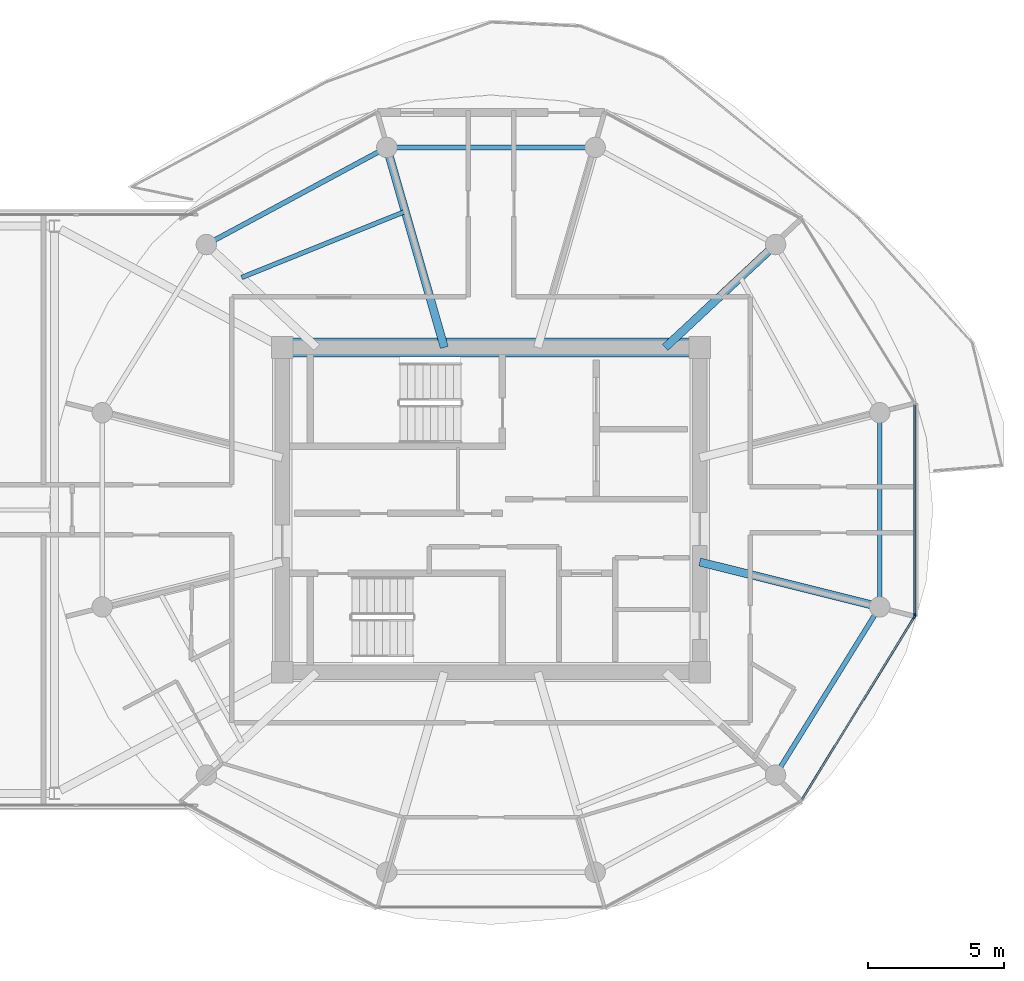
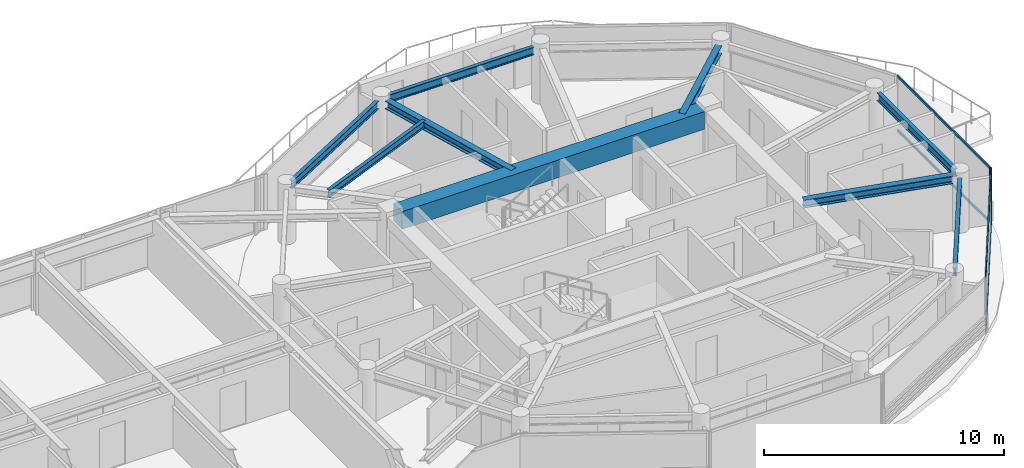
# One storey, part 10 of 23: 9 beams, 6 members, 2 elements without a shape of their own.
"""IFC4 building model written with IfcOpenShell, lengths in metres."""

from ifc_helpers import new_model, si_unit, direction, frame, origin, origin_2d, place, context, subcontext, project, spatial, rectangle, i_section, extrude, source, transform, mapped, material, layer, layer_set, material_profile, profile_set, type_object, type_shapes, element, aggregate, save


model = new_model("IFC4")

# Units and contexts
model_context = context("Model", 3, precision=1e-05, world=origin(), true_north=direction((0.0, 1.0)))
body_context = subcontext(model_context, "Body", "Model", "MODEL_VIEW")
ifc_project = project(units=[si_unit("LENGTHUNIT", "METRE"), si_unit("AREAUNIT", "SQUARE_METRE"), si_unit("VOLUMEUNIT", "CUBIC_METRE"), si_unit("PLANEANGLEUNIT", "RADIAN"), si_unit("MASSUNIT", "GRAM", prefix="KILO")], contexts=[model_context])

# Site, building, storey
site_placement = place(None, origin())
site = spatial("IfcSite", under=ifc_project, at=site_placement, CompositionType="ELEMENT")
building_placement = place(site_placement, origin())
building = spatial("IfcBuilding", under=site, at=building_placement, Name="Norrkilde Senior Care Towers", CompositionType="ELEMENT")
storey_placement = place(building_placement, frame((0.0, 0.0, 229.14990234375)))
storey = spatial("IfcBuildingStorey", under=building, at=storey_placement, Name="L71", CompositionType="ELEMENT", Elevation=229.14990234375)

# Beams
ifc_material_1 = material(Name="Concrete C60/75", Category="concrete")
ifc_material_profile_1 = material_profile(ifc_material_1, rectangle(XDim=0.699951171875, YDim=0.89990234375, at=origin_2d()), Name="RC BM 700x900")
ifc_profile_set_1 = profile_set([ifc_material_profile_1], Name="Concrete C60/75")
beam_type_1 = type_object("IfcBeamType", Name="Core Coupling Girder 700x900", PredefinedType="USERDEFINED", material=ifc_profile_set_1)
shared_shape_1 = source(origin(), body_context, "Body", "SweptSolid", [
    extrude(rectangle(XDim=0.699951171875, YDim=0.89990234375, at=origin_2d()), origin(), (0.0, 0.0, 1.0), 14.5400390625),
])
type_shapes(beam_type_1, [shared_shape_1])
beam_1_placement = place(storey_placement, frame((20.72998046875, 5.949951171875, 2.360107421875), z_axis=(1.0, 0.0, 0.0), x_axis=(0.0, 1.0, 0.0)))
element("IfcBeam", 1, at=beam_1_placement, inside=storey, type_object=beam_type_1, Name="L71 Core E N Coupling Girder", ObjectType="GIRDER", PredefinedType="USERDEFINED", context=body_context, shape_type="MappedRepresentation", body=[
    mapped(shared_shape_1, transform((0.0, 0.0, 0.0), x_axis=(1.0, 0.0, 0.0), y_axis=(0.0, 1.0, 0.0), z_axis=(0.0, 0.0, 1.0), scale=1.0)),
])
ifc_material_2 = material(Name="Steel S355", Category="steel")
ifc_material_profile_2 = material_profile(ifc_material_2, i_section(OverallWidth=0.179931640625, OverallDepth=0.39990234375, WebThickness=0.008544921875, FlangeThickness=0.013427734375, FilletRadius=0.02099609375, at=origin_2d()), Name="IPE 400")
ifc_profile_set_2 = profile_set([ifc_material_profile_2], Name="Steel S355")
beam_type_2 = type_object("IfcBeamType", Name="Perimeter Ring Spandrel Z4 IPE400", PredefinedType="SPANDREL", material=ifc_profile_set_2)
shared_shape_2 = source(origin(), body_context, "Body", "SweptSolid", [
    extrude(i_section(OverallWidth=0.179931640625, OverallDepth=0.39990234375, WebThickness=0.008544921875, FlangeThickness=0.013427734375, FilletRadius=0.02099609375, at=origin_2d()), origin(), (0.0, 0.0, 1.0), 6.58056640625),
])
beam_2_placement = place(storey_placement, frame((38.606201171875, -9.43798828125, 2.610107421875), z_axis=(0.526529583789, 0.850156807533, 0.0), x_axis=(-0.850156807533, 0.526529583789, 0.0)))
element("IfcBeam", 2, at=beam_2_placement, inside=storey, type_object=beam_type_2, Name="L71 Drum E Perimeter Spandrel 11", PredefinedType="SPANDREL", context=body_context, shape_type="MappedRepresentation", body=[
    mapped(shared_shape_2, transform((0.0, 0.0, 0.0), x_axis=(1.0, 0.0, 0.0), y_axis=(0.0, 1.0, 0.0), z_axis=(0.0, 0.0, 1.0), scale=1.0)),
])
ifc_material_profile_3 = material_profile(ifc_material_2, i_section(OverallWidth=0.300048828125, OverallDepth=0.39990234375, WebThickness=0.013427734375, FlangeThickness=0.02392578125, FilletRadius=0.027099609375, at=origin_2d()), Name="HEB 400")
ifc_profile_set_3 = profile_set([ifc_material_profile_3], Name="Steel S355")
beam_type_3 = type_object("IfcBeamType", Name="Radial Floor Beam Z4 HEB400", PredefinedType="BEAM", material=ifc_profile_set_3)
shared_shape_3 = source(origin(), body_context, "Body", "SweptSolid", [
    extrude(i_section(OverallWidth=0.300048828125, OverallDepth=0.39990234375, WebThickness=0.013427734375, FlangeThickness=0.02392578125, FilletRadius=0.027099609375, at=origin_2d()), origin(), (0.0, 0.0, 1.0), 6.465087890625),
])
beam_3_placement = place(storey_placement, frame((35.64990234375, -1.910888671875, 2.610107421875), z_axis=(0.970195788563, -0.242322371758, 0.0), x_axis=(0.242322371758, 0.970195788563, 0.0)))
element("IfcBeam", 3, at=beam_3_placement, inside=storey, type_object=beam_type_3, Name="L71 Drum E Radial Floor Beam 12", PredefinedType="BEAM", context=body_context, shape_type="MappedRepresentation", body=[
    mapped(shared_shape_3, transform((0.0, 0.0, 0.0), x_axis=(1.0, 0.0, 0.0), y_axis=(0.0, 1.0, 0.0), z_axis=(0.0, 0.0, 1.0), scale=1.0)),
])
shared_shape_4 = source(origin(), body_context, "Body", "SweptSolid", [
    extrude(i_section(OverallWidth=0.179931640625, OverallDepth=0.39990234375, WebThickness=0.008544921875, FlangeThickness=0.013427734375, FilletRadius=0.02099609375, at=origin_2d()), origin(), (0.0, 0.0, 1.0), 6.839111328125),
])
beam_4_placement = place(storey_placement, frame((23.887451171875, 13.122802734375, 2.610107421875), z_axis=(-0.880563930732, -0.473927382511, 0.0), x_axis=(0.473927382511, -0.880563930732, 0.0)))
element("IfcBeam", 4, at=beam_4_placement, inside=storey, type_object=beam_type_2, Name="L71 Drum E Perimeter Spandrel 04", PredefinedType="SPANDREL", context=body_context, shape_type="MappedRepresentation", body=[
    mapped(shared_shape_4, transform((0.0, 0.0, 0.0), x_axis=(1.0, 0.0, 0.0), y_axis=(0.0, 1.0, 0.0), z_axis=(0.0, 0.0, 1.0), scale=1.0)),
])
shared_shape_5 = source(origin(), body_context, "Body", "SweptSolid", [
    extrude(i_section(OverallWidth=0.300048828125, OverallDepth=0.39990234375, WebThickness=0.013427734375, FlangeThickness=0.02392578125, FilletRadius=0.027099609375, at=origin_2d()), origin(), (0.0, 0.0, 1.0), 5.197998046875),
])
beam_5_placement = place(storey_placement, frame((34.3828125, 5.949951171875, 2.610107421875), z_axis=(0.731448749334, 0.681896419625, 0.0), x_axis=(-0.681896419625, 0.731448749334, 0.0)))
element("IfcBeam", 5, at=beam_5_placement, inside=storey, type_object=beam_type_3, Name="L71 Drum E Radial Floor Beam 02", PredefinedType="BEAM", context=body_context, shape_type="MappedRepresentation", body=[
    mapped(shared_shape_5, transform((0.0, 0.0, 0.0), x_axis=(1.0, 0.0, 0.0), y_axis=(0.0, 1.0, 0.0), z_axis=(0.0, 0.0, 1.0), scale=1.0)),
])
shared_shape_6 = source(origin(), body_context, "Body", "SweptSolid", [
    extrude(i_section(OverallWidth=0.179931640625, OverallDepth=0.39990234375, WebThickness=0.008544921875, FlangeThickness=0.013427734375, FilletRadius=0.02099609375, at=origin_2d()), origin(), (0.0, 0.0, 1.0), 6.96533203125),
])
beam_6_placement = place(storey_placement, frame((31.482666015625, 13.281494140625, 2.610107421875), z_axis=(-1.0, 0.0, 0.0), x_axis=(0.0, -1.0, 0.0)))
element("IfcBeam", 6, at=beam_6_placement, inside=storey, type_object=beam_type_2, Name="L71 Drum E Perimeter Spandrel 03", PredefinedType="SPANDREL", context=body_context, shape_type="MappedRepresentation", body=[
    mapped(shared_shape_6, transform((0.0, 0.0, 0.0), x_axis=(1.0, 0.0, 0.0), y_axis=(0.0, 1.0, 0.0), z_axis=(0.0, 0.0, 1.0), scale=1.0)),
])
shared_shape_7 = source(origin(), body_context, "Body", "SweptSolid", [
    extrude(i_section(OverallWidth=0.300048828125, OverallDepth=0.39990234375, WebThickness=0.013427734375, FlangeThickness=0.02392578125, FilletRadius=0.027099609375, at=origin_2d()), origin(), (0.0, 0.0, 1.0), 7.29345703125),
])
type_shapes(beam_type_3, [shared_shape_3, shared_shape_5, shared_shape_7])
beam_7_placement = place(storey_placement, frame((26.289794921875, 5.949951171875, 2.610107421875), z_axis=(-0.276263751906, 0.961081858836, 0.0), x_axis=(-0.961081858836, -0.276263751906, 0.0)))
element("IfcBeam", 7, at=beam_7_placement, inside=storey, type_object=beam_type_3, Name="L71 Drum E Radial Floor Beam 04", PredefinedType="BEAM", context=body_context, shape_type="MappedRepresentation", body=[
    mapped(shared_shape_7, transform((0.0, 0.0, 0.0), x_axis=(1.0, 0.0, 0.0), y_axis=(0.0, 1.0, 0.0), z_axis=(0.0, 0.0, 1.0), scale=1.0)),
])
shared_shape_8 = source(origin(), body_context, "Body", "SweptSolid", [
    extrude(i_section(OverallWidth=0.179931640625, OverallDepth=0.39990234375, WebThickness=0.008544921875, FlangeThickness=0.013427734375, FilletRadius=0.02099609375, at=origin_2d()), origin(), (0.0, 0.0, 1.0), 6.44775390625),
])
type_shapes(beam_type_2, [shared_shape_2, shared_shape_4, shared_shape_6, shared_shape_8])
beam_8_placement = place(storey_placement, frame((42.247314453125, -3.223876953125, 2.610107421875), z_axis=(0.0, 1.0, 0.0), x_axis=(-1.0, 0.0, 0.0)))
element("IfcBeam", 8, at=beam_8_placement, inside=storey, type_object=beam_type_2, Name="L71 Drum E Perimeter Spandrel 12", PredefinedType="SPANDREL", context=body_context, shape_type="MappedRepresentation", body=[
    mapped(shared_shape_8, transform((0.0, 0.0, 0.0), x_axis=(1.0, 0.0, 0.0), y_axis=(0.0, 1.0, 0.0), z_axis=(0.0, 0.0, 1.0), scale=1.0)),
])
ifc_material_profile_4 = material_profile(ifc_material_2, i_section(OverallWidth=0.169921875, OverallDepth=0.360107421875, WebThickness=0.008056640625, FlangeThickness=0.0126953125, FilletRadius=0.01806640625, at=origin_2d()), Name="IPE 360")
ifc_profile_set_4 = profile_set([ifc_material_profile_4], Name="Steel S355")
beam_type_4 = type_object("IfcBeamType", Name="Secondary Floor Joist IPE360", PredefinedType="JOIST", material=ifc_profile_set_4)
shared_shape_9 = source(origin(), body_context, "Body", "SweptSolid", [
    extrude(i_section(OverallWidth=0.169921875, OverallDepth=0.360107421875, WebThickness=0.008056640625, FlangeThickness=0.0126953125, FilletRadius=0.01806640625, at=origin_2d()), origin(), (0.0, 0.0, 1.0), 6.461669921875),
])
type_shapes(beam_type_4, [shared_shape_9])
beam_9_placement = place(storey_placement, frame((24.856689453125, 10.935302734375, 2.630126953125), z_axis=(-0.927225942298, -0.374502405772, 0.0), x_axis=(0.374502405772, -0.927225942298, 0.0)))
element("IfcBeam", 9, at=beam_9_placement, inside=storey, type_object=beam_type_4, Name="L71 Drum E Secondary Floor Joist 2", PredefinedType="JOIST", context=body_context, shape_type="MappedRepresentation", body=[
    mapped(shared_shape_9, transform((0.0, 0.0, 0.0), x_axis=(1.0, 0.0, 0.0), y_axis=(0.0, 1.0, 0.0), z_axis=(0.0, 0.0, 1.0), scale=1.0)),
])

# Curtain wall, member
ifc_material_3 = material(Name="Triple Low-E Insulated Glazing", Category="glass")
ifc_layer = layer(ifc_material_3, 0.18505859375)
ifc_layer_set = layer_set([ifc_layer], Name="Triple Low-E Insulated Glazing")
curtain_wall_type = type_object("IfcCurtainWallType", Name="CW6 Zone 4 Crown Pavilion Curtain Wall", PredefinedType="NOTDEFINED", material=ifc_layer_set)
curtain_wall_1_placement = place(storey_placement, origin())
curtain_wall_1 = element("IfcCurtainWall", 10, at=curtain_wall_1_placement, inside=storey, type_object=curtain_wall_type, Name="L71 Drum E Curtain Wall 10", PredefinedType="NOTDEFINED")
ifc_material_4 = material(Name="Anodised Aluminium", Category="aluminium")
ifc_material_profile_5 = material_profile(ifc_material_4, rectangle(XDim=0.06494140625, YDim=0.14990234375, at=origin_2d()), Name="ALU MULL 65x150")
ifc_profile_set_5 = profile_set([ifc_material_profile_5], Name="Anodised Aluminium")
member_type_1 = type_object("IfcMemberType", Name="Curtain Wall Mullion Z3-Z4 65x150", PredefinedType="MULLION", material=ifc_profile_set_5)
shared_shape_10 = source(origin(), body_context, "Body", "SweptSolid", [
    extrude(rectangle(XDim=0.06494140625, YDim=0.14990234375, at=origin_2d()), origin(), (0.0, 0.0, 1.0), 2.81005859375),
])
type_shapes(member_type_1, [shared_shape_10])
member_1_placement = place(storey_placement, frame((43.51513671875, -3.9306640625, 0.0), z_axis=(0.0, 0.0, 1.0), x_axis=(0.851562727283, -0.524252726748, 0.0)))
member_1 = element("IfcMember", 11, at=member_1_placement, type_object=member_type_1, Name="CW-6 mullion 1", PredefinedType="MULLION", context=body_context, shape_type="MappedRepresentation", body=[
    mapped(shared_shape_10, transform((0.0, 0.0, 0.0), x_axis=(1.0, 0.0, 0.0), y_axis=(0.0, 1.0, 0.0), z_axis=(0.0, 0.0, 1.0), scale=1.0)),
])

curtain_wall_2_placement = place(storey_placement, origin())
curtain_wall_2 = element("IfcCurtainWall", 12, at=curtain_wall_2_placement, inside=storey, type_object=curtain_wall_type, Name="L71 Drum E Curtain Wall 11", PredefinedType="NOTDEFINED")
member_2_placement = place(storey_placement, frame((43.531982421875, -3.87060546875, 0.0), z_axis=(0.0, 0.0, 1.0), x_axis=(1.0, 0.0, 0.0)))
member_2 = element("IfcMember", 13, at=member_2_placement, type_object=member_type_1, Name="CW-6 mullion 2", PredefinedType="MULLION", context=body_context, shape_type="MappedRepresentation", body=[
    mapped(shared_shape_10, transform((0.0, 0.0, 0.0), x_axis=(1.0, 0.0, 0.0), y_axis=(0.0, 1.0, 0.0), z_axis=(0.0, 0.0, 1.0), scale=1.0)),
])

# Member
ifc_material_profile_6 = material_profile(ifc_material_4, rectangle(XDim=0.06005859375, YDim=0.1201171875, at=origin_2d()), Name="ALU TRAN 60x120")
ifc_profile_set_6 = profile_set([ifc_material_profile_6], Name="Anodised Aluminium")
member_type_2 = type_object("IfcMemberType", Name="Curtain Wall Transom Typical 60x120", PredefinedType="USERDEFINED", material=ifc_profile_set_6)
shared_shape_11 = source(origin(), body_context, "Body", "SweptSolid", [
    extrude(rectangle(XDim=0.06005859375, YDim=0.1201171875, at=origin_2d()), origin(), (0.0, 0.0, 1.0), 7.808837890625),
])
member_3_placement = place(storey_placement, frame((43.498046875, -3.958251953125, 0.030029296875), z_axis=(-0.524250924101, -0.851563837055, 0.0), x_axis=(0.851563837055, -0.524250924101, 0.0)))
member_3 = element("IfcMember", 14, at=member_3_placement, type_object=member_type_2, Name="CW-6 transom 1.1", ObjectType="TRANSOM", PredefinedType="USERDEFINED", context=body_context, shape_type="MappedRepresentation", body=[
    mapped(shared_shape_11, transform((0.0, 0.0, 0.0), x_axis=(1.0, 0.0, 0.0), y_axis=(0.0, 1.0, 0.0), z_axis=(0.0, 0.0, 1.0), scale=1.0)),
])

member_4_placement = place(storey_placement, frame((43.498046875, -3.958251953125, 2.780029296875), z_axis=(-0.524250924101, -0.851563837055, 0.0), x_axis=(0.851563837055, -0.524250924101, 0.0)))
member_4 = element("IfcMember", 15, at=member_4_placement, type_object=member_type_2, Name="CW-6 transom 1.2", ObjectType="TRANSOM", PredefinedType="USERDEFINED", context=body_context, shape_type="MappedRepresentation", body=[
    mapped(shared_shape_11, transform((0.0, 0.0, 0.0), x_axis=(1.0, 0.0, 0.0), y_axis=(0.0, 1.0, 0.0), z_axis=(0.0, 0.0, 1.0), scale=1.0)),
])

aggregate(curtain_wall_1, [member_1, member_3, member_4])

shared_shape_12 = source(origin(), body_context, "Body", "SweptSolid", [
    extrude(rectangle(XDim=0.06005859375, YDim=0.1201171875, at=origin_2d()), origin(), (0.0, 0.0, 1.0), 7.67578125),
])
type_shapes(member_type_2, [shared_shape_11, shared_shape_12])
member_5_placement = place(storey_placement, frame((43.531982421875, 3.837890625, 0.030029296875), z_axis=(0.0, -1.0, 0.0), x_axis=(1.0, 0.0, 0.0)))
member_5 = element("IfcMember", 16, at=member_5_placement, type_object=member_type_2, Name="CW-6 transom 1.1", ObjectType="TRANSOM", PredefinedType="USERDEFINED", context=body_context, shape_type="MappedRepresentation", body=[
    mapped(shared_shape_12, transform((0.0, 0.0, 0.0), x_axis=(1.0, 0.0, 0.0), y_axis=(0.0, 1.0, 0.0), z_axis=(0.0, 0.0, 1.0), scale=1.0)),
])

member_6_placement = place(storey_placement, frame((43.531982421875, 3.837890625, 2.780029296875), z_axis=(0.0, -1.0, 0.0), x_axis=(1.0, 0.0, 0.0)))
member_6 = element("IfcMember", 17, at=member_6_placement, type_object=member_type_2, Name="CW-6 transom 1.2", ObjectType="TRANSOM", PredefinedType="USERDEFINED", context=body_context, shape_type="MappedRepresentation", body=[
    mapped(shared_shape_12, transform((0.0, 0.0, 0.0), x_axis=(1.0, 0.0, 0.0), y_axis=(0.0, 1.0, 0.0), z_axis=(0.0, 0.0, 1.0), scale=1.0)),
])

aggregate(curtain_wall_2, [member_2, member_5, member_6])

save(model, "model.ifc")
